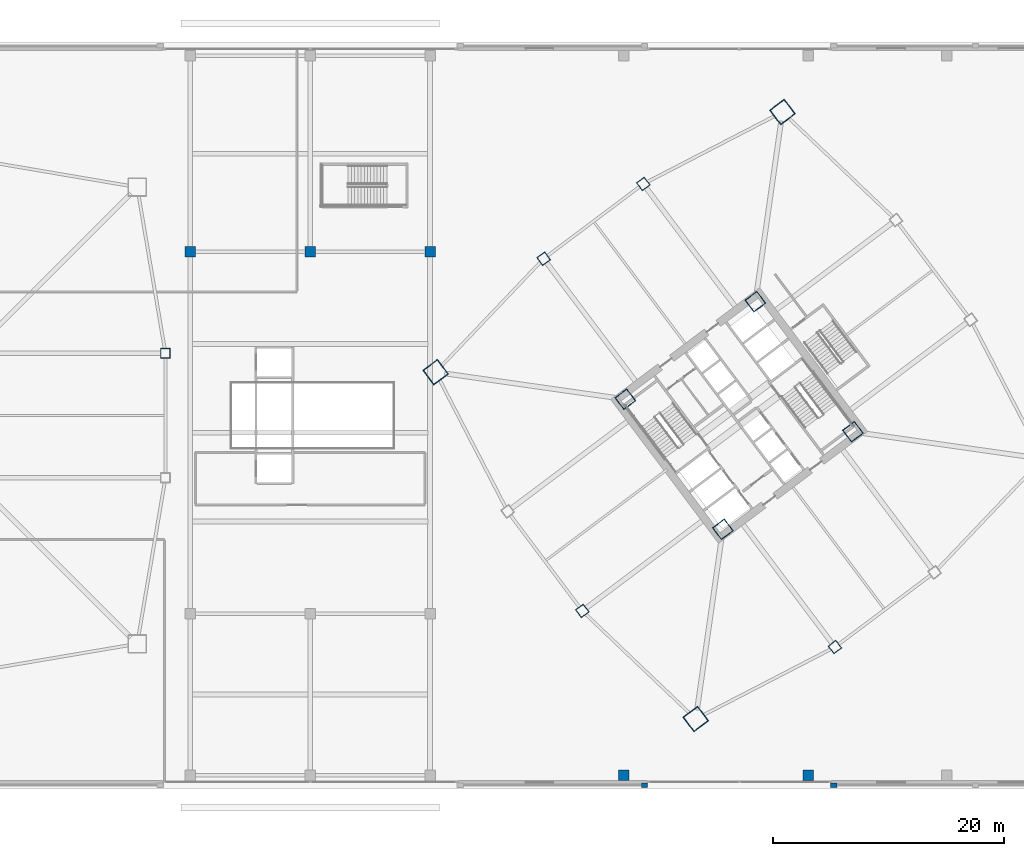
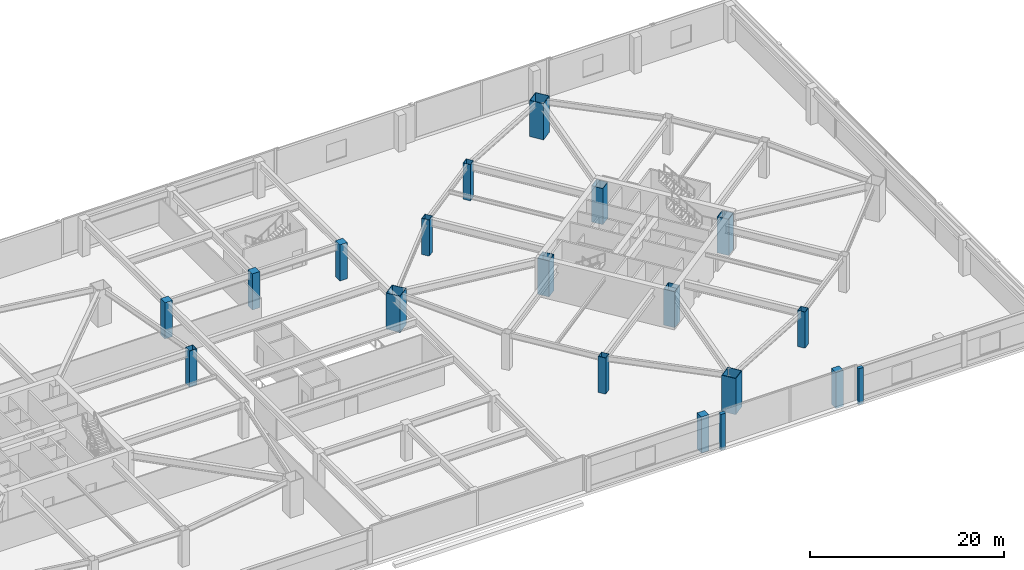
# One storey, part 2 of 44: 19 columns.
"""IFC4 building model written with IfcOpenShell, lengths in metres."""

from ifc_helpers import new_model, si_unit, direction, frame, origin, origin_2d, place, context, subcontext, project, spatial, rectangle, hollow_rectangle, extrude, material, material_profile, profile_set, type_object, element, save


model = new_model("IFC4")

# Units and contexts
model_context = context("Model", 3, precision=1e-05, world=origin(), true_north=direction((0.0, 1.0)))
body_context = subcontext(model_context, "Body", "Model", "MODEL_VIEW")
ifc_project = project(units=[si_unit("LENGTHUNIT", "METRE"), si_unit("AREAUNIT", "SQUARE_METRE"), si_unit("VOLUMEUNIT", "CUBIC_METRE"), si_unit("PLANEANGLEUNIT", "RADIAN"), si_unit("MASSUNIT", "GRAM", prefix="KILO")], contexts=[model_context])

# Site, building, storey
site_placement = place(None, origin())
site = spatial("IfcSite", under=ifc_project, at=site_placement, CompositionType="ELEMENT")
building_placement = place(site_placement, origin())
building = spatial("IfcBuilding", under=site, at=building_placement, Name="Tashvorn Skyway Center", CompositionType="ELEMENT")
storey_placement = place(building_placement, frame((0.0, 0.0, 5.39990234375)))
storey = spatial("IfcBuildingStorey", under=building, at=storey_placement, Name="L01", CompositionType="ELEMENT", Elevation=5.39990234375)

# Columns
ifc_material_1 = material(Name="Steel ASTM A572 Grade 50", Category="steel")
ifc_material_profile_1 = material_profile(ifc_material_1, hollow_rectangle(XDim=1.300048828125, YDim=1.300048828125, WallThickness=0.050048828125, at=origin_2d()), Name="BOX1300x1300x50")
ifc_profile_set_1 = profile_set([ifc_material_profile_1], Name="Steel ASTM A572 Grade 50")
column_type_1 = type_object("IfcColumnType", Name="COL-BOX1300x1300x50", PredefinedType="COLUMN", material=ifc_profile_set_1)
for number, where, z_axis, x_axis, name in (
    (1, (112.590087890625, 22.1298828125, 0.0), (0.0, 0.0, 1.0), (0.799999996291, 0.600000004945, 0.0), "Tower 2 L01 Core Corner Column CC-SW"),
    (2, (123.8701171875, 30.590087890625, 0.0), (0.0, 0.0, 1.0), (0.799999996291, 0.600000004945, 0.0), "Tower 2 L01 Core Corner Column CC-SE"),
    (3, (115.409912109375, 41.8701171875, 0.0), (0.0, 0.0, 1.0), (0.799999996291, 0.600000004945, 0.0), "Tower 2 L01 Core Corner Column CC-NE"),
    (4, (104.1298828125, 33.409912109375, 0.0), (0.0, 0.0, 1.0), (0.799999996291, 0.600000004945, 0.0), "Tower 2 L01 Core Corner Column CC-NW"),
):
    element("IfcColumn", number, at=place(storey_placement, frame(where, z_axis=z_axis, x_axis=x_axis)), inside=storey, type_object=column_type_1, Name=name, PredefinedType="COLUMN", context=body_context, shape_type="SweptSolid", body=[
        extrude(hollow_rectangle(XDim=1.300048828125, YDim=1.300048828125, WallThickness=0.050048828125, at=origin_2d()), origin(), (0.0, 0.0, 1.0), 4.5400390625),
    ])
ifc_material_profile_2 = material_profile(ifc_material_1, hollow_rectangle(XDim=1.60009765625, YDim=1.60009765625, WallThickness=0.06005859375, at=origin_2d()), Name="BOX1600x1600x60")
ifc_profile_set_2 = profile_set([ifc_material_profile_2], Name="Steel ASTM A572 Grade 50")
column_type_2 = type_object("IfcColumnType", Name="COL-BOX1600x1600x60", PredefinedType="COLUMN", material=ifc_profile_set_2)
for number, where, z_axis, x_axis, name in (
    (5, (110.239990234375, 5.679931640625, 0.0), (0.0, 0.0, 1.0), (0.799999996291, 0.600000004945, 0.0), "Tower 2 L01 Mega-Column MC-SW"),
    (6, (117.760009765625, 58.320068359375, 0.0), (0.0, 0.0, 1.0), (0.799999996291, 0.600000004945, 0.0), "Tower 2 L01 Mega-Column MC-NE"),
    (7, (87.679931640625, 35.760009765625, 0.0), (0.0, 0.0, 1.0), (0.799999996291, 0.600000004945, 0.0), "Tower 2 L01 Mega-Column MC-NW"),
):
    element("IfcColumn", number, at=place(storey_placement, frame(where, z_axis=z_axis, x_axis=x_axis)), inside=storey, type_object=column_type_2, Name=name, PredefinedType="COLUMN", context=body_context, shape_type="SweptSolid", body=[
        extrude(hollow_rectangle(XDim=1.60009765625, YDim=1.60009765625, WallThickness=0.06005859375, at=origin_2d()), origin(), (0.0, 0.0, 1.0), 4.5400390625),
    ])
ifc_material_profile_3 = material_profile(ifc_material_1, hollow_rectangle(XDim=0.85009765625, YDim=0.85009765625, WallThickness=0.034912109375, at=origin_2d()), Name="BOX850x850x35")
ifc_profile_set_3 = profile_set([ifc_material_profile_3], Name="Steel ASTM A572 Grade 50")
column_type_3 = type_object("IfcColumnType", Name="COL-BOX850x850x35", PredefinedType="COLUMN", material=ifc_profile_set_3)
for number, where, z_axis, x_axis, name in (
    (8, (64.25, 37.39990234375, 0.0), (0.0, 0.0, 1.0), (1.0, 0.0, 0.0), "Tower 1 L01 Perimeter Column FC-E2"),
    (9, (122.31005859375, 11.919921875, 0.0), (0.0, 0.0, 1.0), (0.799999996291, 0.600000004945, 0.0), "Tower 2 L01 Perimeter Column FC-S1"),
    (10, (105.68994140625, 52.080078125, 0.0), (0.0, 0.0, 1.0), (0.799999996291, 0.600000004945, 0.0), "Tower 2 L01 Perimeter Column FC-N1"),
    (11, (97.050048828125, 45.60009765625, 0.0), (0.0, 0.0, 1.0), (0.799999996291, 0.600000004945, 0.0), "Tower 2 L01 Perimeter Column FC-N2"),
    (12, (100.39990234375, 15.050048828125, 0.0), (0.0, 0.0, 1.0), (0.799999996291, 0.600000004945, 0.0), "Tower 2 L01 Perimeter Column FC-W2"),
):
    element("IfcColumn", number, at=place(storey_placement, frame(where, z_axis=z_axis, x_axis=x_axis)), inside=storey, type_object=column_type_3, Name=name, PredefinedType="COLUMN", context=body_context, shape_type="SweptSolid", body=[
        extrude(hollow_rectangle(XDim=0.85009765625, YDim=0.85009765625, WallThickness=0.034912109375, at=origin_2d()), origin(), (0.0, 0.0, 1.0), 4.5400390625),
    ])
ifc_material_2 = material(Name="Concrete C50/60", Category="concrete")
ifc_material_profile_4 = material_profile(ifc_material_2, rectangle(XDim=0.89990234375, YDim=0.89990234375, at=origin_2d()), Name="RC900x900")
ifc_profile_set_4 = profile_set([ifc_material_profile_4], Name="Concrete C50/60")
column_type_4 = type_object("IfcColumnType", Name="COL-RC900x900", PredefinedType="COLUMN", material=ifc_profile_set_4)
for number, where, z_axis, x_axis, name in (
    (13, (104.0, 0.800048828125, 0.0), (0.0, 0.0, 1.0), (1.0, 0.0, 0.0), "L01 Podium Column PC-07-1"),
    (14, (120.0, 0.800048828125, 0.0), (0.0, 0.0, 1.0), (1.0, 0.0, 0.0), "L01 Podium Column PC-08-1"),
    (15, (66.39990234375, 46.199951171875, 0.0), (0.0, 0.0, 1.0), (1.0, 0.0, 0.0), "L01 Podium Column PIC-03-2"),
    (16, (76.800048828125, 46.199951171875, 0.0), (0.0, 0.0, 1.0), (1.0, 0.0, 0.0), "L01 Podium Column PIC-04-2"),
    (17, (87.199951171875, 46.199951171875, 0.0), (0.0, 0.0, 1.0), (1.0, 0.0, 0.0), "L01 Podium Column PIC-05-2"),
):
    element("IfcColumn", number, at=place(storey_placement, frame(where, z_axis=z_axis, x_axis=x_axis)), inside=storey, type_object=column_type_4, Name=name, PredefinedType="COLUMN", context=body_context, shape_type="SweptSolid", body=[
        extrude(rectangle(XDim=0.89990234375, YDim=0.89990234375, at=origin_2d()), origin(), (0.0, 0.0, 1.0), 4.5400390625),
    ])
ifc_material_3 = material(Name="Precast concrete C40/50", Category="concrete")
ifc_material_profile_5 = material_profile(ifc_material_3, rectangle(XDim=0.550048828125, YDim=0.39990234375, at=origin_2d()), Name="RCPIL550x400")
ifc_profile_set_5 = profile_set([ifc_material_profile_5], Name="Precast concrete C40/50")
column_type_5 = type_object("IfcColumnType", Name="PIL-RCPIL550x400", PredefinedType="PILASTER", material=ifc_profile_set_5)
for number, where, z_axis, x_axis, name in (
    (18, (105.800048828125, -0.050048828125, 0.0), (0.0, 0.0, 1.0), (1.0, 0.0, 0.0), "L01 South Terracotta Colonnade Pilaster 7"),
    (19, (122.199951171875, -0.050048828125, 0.0), (0.0, 0.0, 1.0), (1.0, 0.0, 0.0), "L01 South Terracotta Colonnade Pilaster 8"),
):
    element("IfcColumn", number, at=place(storey_placement, frame(where, z_axis=z_axis, x_axis=x_axis)), inside=storey, type_object=column_type_5, Name=name, PredefinedType="PILASTER", context=body_context, shape_type="SweptSolid", body=[
        extrude(rectangle(XDim=0.550048828125, YDim=0.39990234375, at=origin_2d()), origin(), (0.0, 0.0, 1.0), 4.5400390625),
    ])

save(model, "model.ifc")
